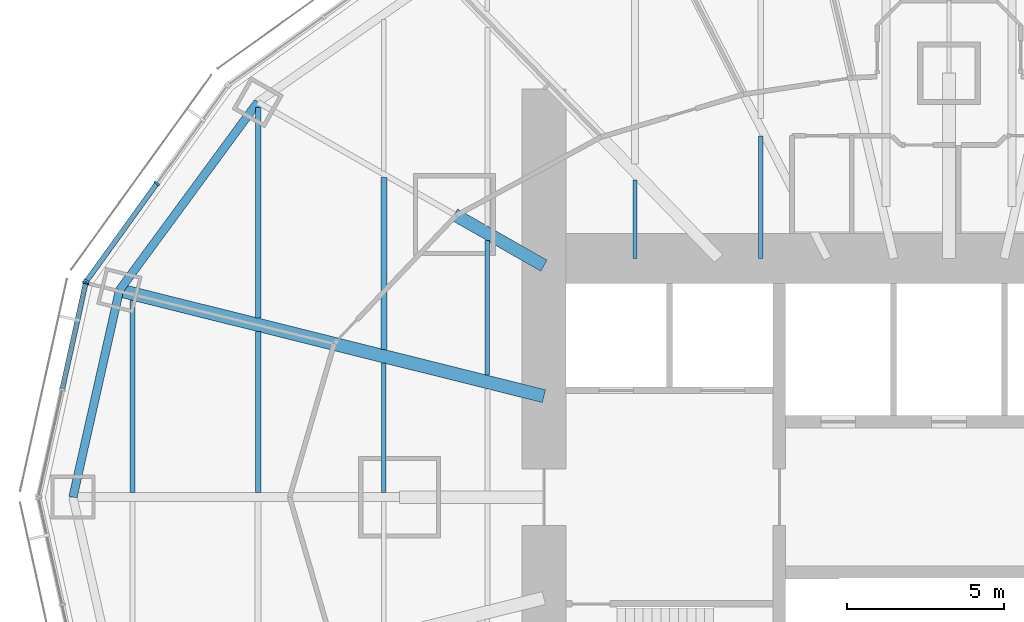
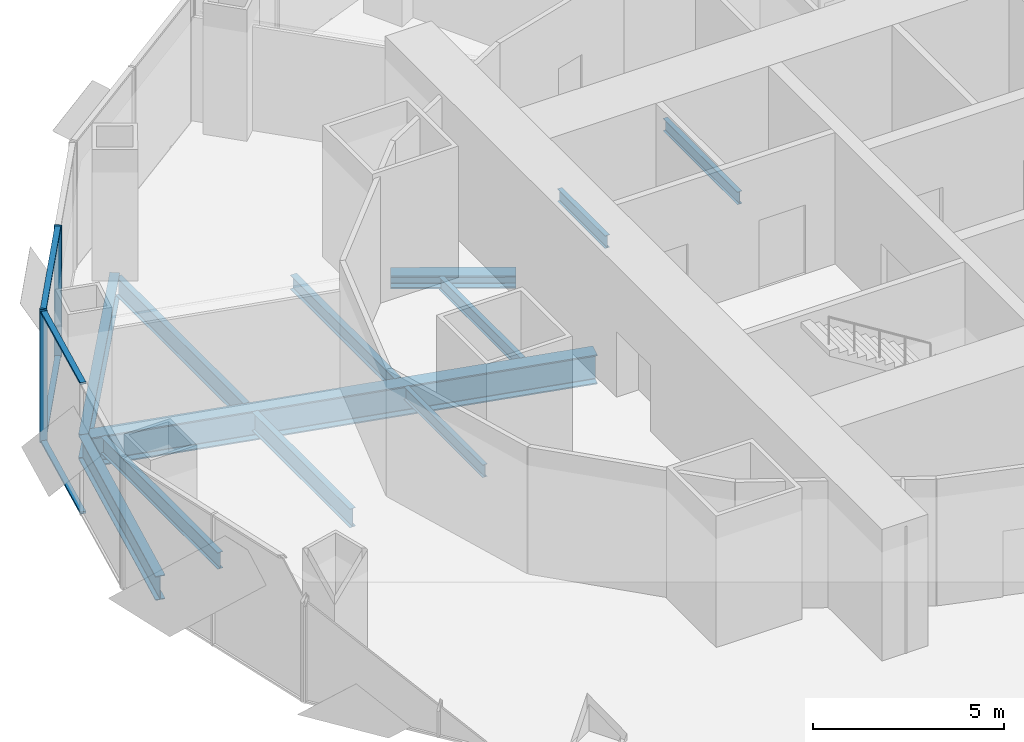
# One storey, part 4 of 18: 12 beams, 7 members, 2 elements without a shape of their own.
"""IFC4 building model written with IfcOpenShell, lengths in metres."""

import ifcopenshell
import ifcopenshell.guid

model = None  # the IFC model being written
_history = None  # IfcOwnerHistory: only IFC2X3 demands one
_inside = {}  # id of a spatial element -> (the spatial element, [elements in it])
_under = {}  # id of a project, library or spatial element -> (it, [spatial elements below it])
_declared = {}  # id of a project -> (the project, [libraries it declares])
_typed = {}  # id of a type object -> (the type object, [elements of that type])
_made_of = {}  # id of a material, layer set ... -> (it, [elements and type objects made of it])


def new_model(schema):
    """Start an empty IFC model of exactly this schema.

    Asked for "IFC4X3", IfcOpenShell would pick the latest addendum, in which some entities
    have other attributes; the version numbers below select the first issue.
    IFC2X3 requires an IfcOwnerHistory on every rooted entity: one is made here for all.
    """
    global model, _history
    if schema == "IFC4X3":
        model = ifcopenshell.file(schema_version=(4, 3, 0, 0))
    else:
        model = ifcopenshell.file(schema=schema)
    _inside.clear()
    _under.clear()
    _declared.clear()
    _typed.clear()
    _made_of.clear()
    _history = None
    if model.schema == "IFC2X3":
        org = make("IfcOrganization", Name="unknown")
        user = make(
            "IfcPersonAndOrganization",
            ThePerson=make("IfcPerson", FamilyName="unknown"),
            TheOrganization=org,
        )
        app = make(
            "IfcApplication",
            ApplicationDeveloper=org,
            Version="unknown",
            ApplicationFullName="unknown",
            ApplicationIdentifier="unknown",
        )
        _history = make(
            "IfcOwnerHistory",
            OwningUser=user,
            OwningApplication=app,
            ChangeAction="ADDED",
            CreationDate=0,
        )
    return model


def make(cls, **values):
    """One entity of the class cls with the attributes given. An attribute that is None is left unset."""
    return model.create_entity(
        cls, **{name: value for name, value in values.items() if value is not None}
    )


def rooted(cls, **values):
    """An entity with a GlobalId (a new one), such as an element, a storey or a relation."""
    return make(cls, GlobalId=ifcopenshell.guid.new(), OwnerHistory=_history, **values)


def si_unit(unit_type, name, prefix=None):
    """IfcSIUnit, for example si_unit("LENGTHUNIT", "METRE", prefix="MILLI")."""
    return make("IfcSIUnit", UnitType=unit_type, Prefix=prefix, Name=name)


def assignment(units):
    """IfcUnitAssignment: the units of a project."""
    return None if units is None else make("IfcUnitAssignment", Units=units)


def point(xyz):
    """IfcCartesianPoint."""
    return None if xyz is None else make("IfcCartesianPoint", Coordinates=xyz)


def direction(xyz):
    """IfcDirection."""
    return None if xyz is None else make("IfcDirection", DirectionRatios=xyz)


def frame(location, z_axis=None, x_axis=None):
    """IfcAxis2Placement3D, a coordinate frame: its origin and axes. An axis left out is left unset."""
    return make(
        "IfcAxis2Placement3D",
        Location=point(location),
        Axis=direction(z_axis),
        RefDirection=direction(x_axis),
    )


def frame_2d(location, x_axis=None):
    """IfcAxis2Placement2D, a coordinate frame in the plane: its origin and x axis."""
    return make(
        "IfcAxis2Placement2D", Location=point(location), RefDirection=direction(x_axis)
    )


def origin():
    """The frame at (0, 0, 0) with its axes left unset."""
    return frame((0.0, 0.0, 0.0))


def origin_2d():
    """The frame at (0, 0) in the plane with its x axis left unset."""
    return frame_2d((0.0, 0.0))


def place(relative_to, where):
    """IfcLocalPlacement: puts the frame where relative to a parent placement (None: the world)."""
    return make(
        "IfcLocalPlacement", PlacementRelTo=relative_to, RelativePlacement=where
    )


def context(
    kind, dimensions, precision=None, world=None, true_north=None, identifier=None
):
    """IfcGeometricRepresentationContext, for example the 3D "Model" context."""
    return make(
        "IfcGeometricRepresentationContext",
        ContextIdentifier=identifier,
        ContextType=kind,
        CoordinateSpaceDimension=dimensions,
        Precision=precision,
        WorldCoordinateSystem=world,
        TrueNorth=true_north,
    )


def subcontext(parent, identifier, kind, view, scale=None):
    """IfcGeometricRepresentationSubContext, for example "Body" below "Model"."""
    return make(
        "IfcGeometricRepresentationSubContext",
        ContextIdentifier=identifier,
        ContextType=kind,
        ParentContext=parent,
        TargetScale=scale,
        TargetView=view,
    )


def project(units=None, contexts=None):
    """IfcProject with its units and contexts."""
    return rooted(
        "IfcProject",
        Name="project",
        RepresentationContexts=contexts,
        UnitsInContext=assignment(units),
    )


def spatial(cls, under=None, at=None, **own):
    """A site, building, storey or space (cls), placed at a placement, below another one or the project."""
    s = rooted(cls, ObjectPlacement=at, **own)
    if under is not None:
        _under.setdefault(under.id(), (under, []))[1].append(s)
    return s


def profile(cls, at=None, kind="AREA", **sizes):
    """A parametric profile (cls). Its sizes go by their IFC names, for example OverallWidth=200.0."""
    return make(cls, ProfileType=kind, Position=at, **sizes)


def rectangle(**sizes):
    """IfcRectangleProfileDef."""
    return profile("IfcRectangleProfileDef", **sizes)


def i_section(**sizes):
    """IfcIShapeProfileDef."""
    return profile("IfcIShapeProfileDef", **sizes)


def extrude(swept, where, along, depth):
    """IfcExtrudedAreaSolid: the profile swept, set in the frame where, extruded along a direction by depth."""
    return make(
        "IfcExtrudedAreaSolid",
        SweptArea=swept,
        Position=where,
        ExtrudedDirection=direction(along),
        Depth=depth,
    )


def shape(context_of_items, identifier, shape_type, items):
    """IfcShapeRepresentation: the items that make up one representation, for example the "Body"."""
    return make(
        "IfcShapeRepresentation",
        ContextOfItems=context_of_items,
        RepresentationIdentifier=identifier,
        RepresentationType=shape_type,
        Items=items,
    )


def material(Name=None, Category=None):
    """IfcMaterial."""
    return make("IfcMaterial", Name=Name, Category=Category)


def material_profile(
    of_material, cross_section, Name=None, Category=None, Priority=None
):
    """IfcMaterialProfile: a cross section and its material."""
    return make(
        "IfcMaterialProfile",
        Name=Name,
        Material=of_material,
        Profile=cross_section,
        Priority=Priority,
        Category=Category,
    )


def profile_set(profiles, Name=None, composite=None):
    """IfcMaterialProfileSet."""
    return make(
        "IfcMaterialProfileSet",
        Name=Name,
        MaterialProfiles=profiles,
        CompositeProfile=composite,
    )


def made_of(thing, what):
    """Note that an element or type object is made of a material, layer set ...; save() writes the relation."""
    if what is not None:
        _made_of.setdefault(what.id(), (what, []))[1].append(thing)
    return thing


def type_object(cls, material=None, **own):
    """A type object (cls), such as IfcWallType, which elements share."""
    return made_of(rooted(cls, **own), material)


def element(
    cls,
    number,
    at=None,
    inside=None,
    cuts=None,
    type_object=None,
    material=None,
    context=None,
    identifier="Body",
    shape_type=None,
    held_by="IfcProductDefinitionShape",
    body=None,
    shapes=None,
    **own,
):
    """One element of the class cls, such as IfcWall. Its Tag is "e" and its number.

    at: its placement. inside: the storey or other place that contains it. cuts: it is an
    opening in that element (IfcRelVoidsElement). A single representation is given by context,
    identifier, shape_type and body (its items); several are given by shapes. held_by: the class
    of the entity that holds the representations. save() writes the other relations.
    """
    e = rooted(cls, Tag="e%d" % number, ObjectPlacement=at, **own)
    if body is not None:
        shapes = [shape(context, identifier, shape_type, body)]
    if shapes is not None:
        e.Representation = make(held_by, Representations=shapes)
    if inside is not None:
        _inside.setdefault(inside.id(), (inside, []))[1].append(e)
    if cuts is not None:
        rooted(
            "IfcRelVoidsElement", RelatingBuildingElement=cuts, RelatedOpeningElement=e
        )
    if type_object is not None:
        _typed.setdefault(type_object.id(), (type_object, []))[1].append(e)
    return made_of(e, material)


def aggregate(whole, parts):
    """IfcRelAggregates: a whole, such as a stair, and the parts it consists of."""
    return rooted("IfcRelAggregates", RelatingObject=whole, RelatedObjects=parts)


def save(model, path):
    """Write the relations noted so far, then the file.

    IfcRelAggregates (storeys below a building ...), IfcRelContainedInSpatialStructure (elements
    in a storey), IfcRelDefinesByType, IfcRelAssociatesMaterial and IfcRelDeclares: one each for
    every whole, place, type object, material and project.
    """
    for whole, parts in _under.values():
        aggregate(whole, parts)
    for where, things in _inside.values():
        rooted(
            "IfcRelContainedInSpatialStructure",
            RelatedElements=things,
            RelatingStructure=where,
        )
    for kind, things in _typed.values():
        rooted("IfcRelDefinesByType", RelatedObjects=things, RelatingType=kind)
    for what, things in _made_of.values():
        rooted("IfcRelAssociatesMaterial", RelatedObjects=things, RelatingMaterial=what)
    for by, libraries in _declared.values():
        rooted("IfcRelDeclares", RelatingContext=by, RelatedDefinitions=libraries)
    model.write(path)


model = new_model("IFC4")

# Units and contexts
model_context = context("Model", 3, precision=1e-05, world=origin(), true_north=direction((0.0, 1.0)))
body_context = subcontext(model_context, "Body", "Model", "MODEL_VIEW")
ifc_project = project(units=[si_unit("LENGTHUNIT", "METRE"), si_unit("AREAUNIT", "SQUARE_METRE"), si_unit("VOLUMEUNIT", "CUBIC_METRE"), si_unit("PLANEANGLEUNIT", "RADIAN"), si_unit("MASSUNIT", "GRAM", prefix="KILO")], contexts=[model_context])

# Site, building, storey
site_placement = place(None, origin())
site = spatial("IfcSite", under=ifc_project, at=site_placement, CompositionType="ELEMENT")
building_placement = place(site_placement, origin())
building = spatial("IfcBuilding", under=site, at=building_placement, Name="Lantaw Convention Tower", CompositionType="ELEMENT")
storey_placement = place(building_placement, frame((0.0, 0.0, 138.39990234375)))
storey = spatial("IfcBuildingStorey", under=building, at=storey_placement, Name="L32", CompositionType="ELEMENT", Elevation=138.39990234375)

# Beams
ifc_material_1 = material(Name="Steel ASTM A992", Category="steel")
ifc_material_profile_1 = material_profile(ifc_material_1, i_section(OverallWidth=0.2666015625, OverallDepth=0.76953125, WebThickness=0.015625, FlangeThickness=0.025390625, FilletRadius=0.0126953125, at=origin_2d()), Name="W30X132")
ifc_profile_set_1 = profile_set([ifc_material_profile_1], Name="Steel ASTM A992")
beam_type_1 = type_object("IfcBeamType", Name="Beam E W30X132", PredefinedType="SPANDREL", material=ifc_profile_set_1)
beam_1_placement = place(storey_placement, frame((-22.013916015625, 12.579345703125, -0.53466796875), z_axis=(-0.5923891972, -0.805651934176, 0.0), x_axis=(0.805651934176, -0.5923891972, 0.0)))
element("IfcBeam", 1, at=beam_1_placement, inside=storey, type_object=beam_type_1, Name="Edge beam 11", PredefinedType="SPANDREL", context=body_context, shape_type="SweptSolid", body=[
    extrude(i_section(OverallWidth=0.2666015625, OverallDepth=0.76953125, WebThickness=0.015625, FlangeThickness=0.025390625, FilletRadius=0.0126953125, at=origin_2d()), origin(), (0.0, 0.0, 1.0), 7.437744140625),
])
beam_2_placement = place(storey_placement, frame((-26.419921875, 6.587158203125, -0.53466796875), z_axis=(-0.219211877447, -0.975677279015, 0.0), x_axis=(0.975677279015, -0.219211877447, 0.0)))
element("IfcBeam", 2, at=beam_2_placement, inside=storey, type_object=beam_type_1, Name="Edge beam 12", PredefinedType="SPANDREL", context=body_context, shape_type="SweptSolid", body=[
    extrude(i_section(OverallWidth=0.2666015625, OverallDepth=0.76953125, WebThickness=0.015625, FlangeThickness=0.025390625, FilletRadius=0.0126953125, at=origin_2d()), origin(), (0.0, 0.0, 1.0), 6.75146484375),
])
ifc_material_profile_2 = material_profile(ifc_material_1, i_section(OverallWidth=0.421630859375, OverallDepth=0.937255859375, WebThickness=0.0224609375, FlangeThickness=0.039794921875, FilletRadius=0.02001953125, at=origin_2d()), Name="W36X282")
ifc_profile_set_2 = profile_set([ifc_material_profile_2], Name="Steel ASTM A992")
beam_type_2 = type_object("IfcBeamType", Name="Beam G W36X282", PredefinedType="BEAM", material=ifc_profile_set_2)
beam_3_placement = place(storey_placement, frame((-12.89990234375, 3.21630859375, -0.61865234375), z_axis=(-0.970296903132, 0.24191717544, 0.0), x_axis=(-0.24191717544, -0.970296903132, 0.0)))
element("IfcBeam", 3, at=beam_3_placement, inside=storey, type_object=beam_type_2, Name="Floor girder on ray 12", PredefinedType="BEAM", context=body_context, shape_type="SweptSolid", body=[
    extrude(i_section(OverallWidth=0.421630859375, OverallDepth=0.937255859375, WebThickness=0.0224609375, FlangeThickness=0.039794921875, FilletRadius=0.02001953125, at=origin_2d()), origin(), (0.0, 0.0, 1.0), 13.933837890625),
])
ifc_material_profile_3 = material_profile(ifc_material_1, i_section(OverallWidth=0.40380859375, OverallDepth=0.406494140625, WebThickness=0.027099609375, FlangeThickness=0.043701171875, FilletRadius=0.01513671875, at=origin_2d()), Name="W14X233")
ifc_profile_set_3 = profile_set([ifc_material_profile_3], Name="Steel ASTM A992")
beam_type_3 = type_object("IfcBeamType", Name="Beam GM W14X233", PredefinedType="BEAM", material=ifc_profile_set_3)
beam_4_placement = place(storey_placement, frame((-12.89990234375, 7.371337890625, -0.35302734375), z_axis=(-0.868238565244, 0.496146947811, 0.0), x_axis=(-0.496146947811, -0.868238565244, 0.0)))
element("IfcBeam", 4, at=beam_4_placement, inside=storey, type_object=beam_type_3, Name="Core link beam on ray 11", PredefinedType="BEAM", context=body_context, shape_type="SweptSolid", body=[
    extrude(i_section(OverallWidth=0.40380859375, OverallDepth=0.406494140625, WebThickness=0.027099609375, FlangeThickness=0.043701171875, FilletRadius=0.01513671875, at=origin_2d()), origin(), (0.0, 0.0, 1.0), 3.28271484375),
])
ifc_material_profile_4 = material_profile(ifc_material_1, i_section(OverallWidth=0.140380859375, OverallDepth=0.40380859375, WebThickness=0.007080078125, FlangeThickness=0.01123046875, FilletRadius=0.01025390625, at=origin_2d()), Name="W16X31")
ifc_profile_set_4 = profile_set([ifc_material_profile_4], Name="Steel ASTM A992")
beam_type_4 = type_object("IfcBeamType", Name="Beam J W16X31", PredefinedType="JOIST", material=ifc_profile_set_4)
beam_5_placement = place(storey_placement, frame((-18.0, 0.14599609375, -0.351806640625), z_axis=(0.0, 1.0, 0.0), x_axis=(-1.0, 0.0, 0.0)))
element("IfcBeam", 5, at=beam_5_placement, inside=storey, type_object=beam_type_4, Name="Floor joist", PredefinedType="JOIST", context=body_context, shape_type="SweptSolid", body=[
    extrude(i_section(OverallWidth=0.140380859375, OverallDepth=0.40380859375, WebThickness=0.007080078125, FlangeThickness=0.01123046875, FilletRadius=0.01025390625, at=origin_2d()), origin(), (0.0, 0.0, 1.0), 4.124755859375),
])
beam_6_placement = place(storey_placement, frame((-14.699951171875, 3.88232421875, -0.351806640625), z_axis=(0.0, 1.0, 0.0), x_axis=(-1.0, 0.0, 0.0)))
element("IfcBeam", 6, at=beam_6_placement, inside=storey, type_object=beam_type_4, Name="Floor joist", PredefinedType="JOIST", context=body_context, shape_type="SweptSolid", body=[
    extrude(i_section(OverallWidth=0.140380859375, OverallDepth=0.40380859375, WebThickness=0.007080078125, FlangeThickness=0.01123046875, FilletRadius=0.01025390625, at=origin_2d()), origin(), (0.0, 0.0, 1.0), 4.28515625),
])
beam_7_placement = place(storey_placement, frame((-10.0, 7.60009765625, -0.351806640625), z_axis=(0.0, 1.0, 0.0), x_axis=(-1.0, 0.0, 0.0)))
element("IfcBeam", 7, at=beam_7_placement, inside=storey, type_object=beam_type_4, Name="Floor joist", PredefinedType="JOIST", context=body_context, shape_type="SweptSolid", body=[
    extrude(i_section(OverallWidth=0.140380859375, OverallDepth=0.40380859375, WebThickness=0.007080078125, FlangeThickness=0.01123046875, FilletRadius=0.01025390625, at=origin_2d()), origin(), (0.0, 0.0, 1.0), 2.49560546875),
])
beam_8_placement = place(storey_placement, frame((-6.0, 7.60009765625, -0.351806640625), z_axis=(0.0, 1.0, 0.0), x_axis=(-1.0, 0.0, 0.0)))
element("IfcBeam", 8, at=beam_8_placement, inside=storey, type_object=beam_type_4, Name="Floor joist", PredefinedType="JOIST", context=body_context, shape_type="SweptSolid", body=[
    extrude(i_section(OverallWidth=0.140380859375, OverallDepth=0.40380859375, WebThickness=0.007080078125, FlangeThickness=0.01123046875, FilletRadius=0.01025390625, at=origin_2d()), origin(), (0.0, 0.0, 1.0), 3.895751953125),
])
ifc_material_profile_5 = material_profile(ifc_material_1, i_section(OverallWidth=0.1904296875, OverallDepth=0.457275390625, WebThickness=0.009033203125, FlangeThickness=0.014404296875, FilletRadius=0.01025390625, at=origin_2d()), Name="W18X50")
ifc_profile_set_5 = profile_set([ifc_material_profile_5], Name="Steel ASTM A992")
beam_type_5 = type_object("IfcBeamType", Name="Beam J W18X50", PredefinedType="JOIST", material=ifc_profile_set_5)
beam_9_placement = place(storey_placement, frame((-18.0, 4.705078125, -0.37841796875), z_axis=(0.0, 1.0, 0.0), x_axis=(-1.0, 0.0, 0.0)))
element("IfcBeam", 9, at=beam_9_placement, inside=storey, type_object=beam_type_5, Name="Floor joist", PredefinedType="JOIST", context=body_context, shape_type="SweptSolid", body=[
    extrude(i_section(OverallWidth=0.1904296875, OverallDepth=0.457275390625, WebThickness=0.009033203125, FlangeThickness=0.014404296875, FilletRadius=0.01025390625, at=origin_2d()), origin(), (0.0, 0.0, 1.0), 5.47802734375),
])
ifc_material_profile_6 = material_profile(ifc_material_1, i_section(OverallWidth=0.1650390625, OverallDepth=0.52587890625, WebThickness=0.0087890625, FlangeThickness=0.011474609375, FilletRadius=0.0126953125, at=origin_2d()), Name="W21X44")
ifc_profile_set_6 = profile_set([ifc_material_profile_6], Name="Steel ASTM A992")
beam_type_6 = type_object("IfcBeamType", Name="Beam J W21X44", PredefinedType="JOIST", material=ifc_profile_set_6)
beam_10_placement = place(storey_placement, frame((-26.0, 0.14599609375, -0.412841796875), z_axis=(0.0, 1.0, 0.0), x_axis=(-1.0, 0.0, 0.0)))
element("IfcBeam", 10, at=beam_10_placement, inside=storey, type_object=beam_type_6, Name="Floor joist", PredefinedType="JOIST", context=body_context, shape_type="SweptSolid", body=[
    extrude(i_section(OverallWidth=0.1650390625, OverallDepth=0.52587890625, WebThickness=0.0087890625, FlangeThickness=0.011474609375, FilletRadius=0.0126953125, at=origin_2d()), origin(), (0.0, 0.0, 1.0), 6.119140625),
])
ifc_material_profile_7 = material_profile(ifc_material_1, i_section(OverallWidth=0.177978515625, OverallDepth=0.599365234375, WebThickness=0.010009765625, FlangeThickness=0.012939453125, FilletRadius=0.012939453125, at=origin_2d()), Name="W24X55")
ifc_profile_set_7 = profile_set([ifc_material_profile_7], Name="Steel ASTM A992")
beam_type_7 = type_object("IfcBeamType", Name="Beam J W24X55", PredefinedType="JOIST", material=ifc_profile_set_7)
beam_11_placement = place(storey_placement, frame((-22.0, 0.14599609375, -0.44970703125), z_axis=(0.0, 1.0, 0.0), x_axis=(-1.0, 0.0, 0.0)))
element("IfcBeam", 11, at=beam_11_placement, inside=storey, type_object=beam_type_7, Name="Floor joist", PredefinedType="JOIST", context=body_context, shape_type="SweptSolid", body=[
    extrude(i_section(OverallWidth=0.177978515625, OverallDepth=0.599365234375, WebThickness=0.010009765625, FlangeThickness=0.012939453125, FilletRadius=0.012939453125, at=origin_2d()), origin(), (0.0, 0.0, 1.0), 5.121826171875),
])
beam_12_placement = place(storey_placement, frame((-22.0, 5.702392578125, -0.44970703125), z_axis=(0.0, 1.0, 0.0), x_axis=(-1.0, 0.0, 0.0)))
element("IfcBeam", 12, at=beam_12_placement, inside=storey, type_object=beam_type_7, Name="Floor joist", PredefinedType="JOIST", context=body_context, shape_type="SweptSolid", body=[
    extrude(i_section(OverallWidth=0.177978515625, OverallDepth=0.599365234375, WebThickness=0.010009765625, FlangeThickness=0.012939453125, FilletRadius=0.012939453125, at=origin_2d()), origin(), (0.0, 0.0, 1.0), 6.70654296875),
])

# Curtain wall, members
ifc_material_2 = material(Name="Aluminium framed curtain wall", Category="aluminium")
curtain_wall_type = type_object("IfcCurtainWallType", Name="Office curtain wall low rise, pale aluminium", PredefinedType="USERDEFINED", material=ifc_material_2)
curtain_wall_1_placement = place(storey_placement, origin())
curtain_wall_1 = element("IfcCurtainWall", 13, at=curtain_wall_1_placement, inside=storey, type_object=curtain_wall_type, Name="Office curtain wall low rise, pale aluminium L32", ObjectType="UNITISED CURTAIN WALL", PredefinedType="USERDEFINED")
ifc_material_3 = material(Name="Aluminium 6063-T6", Category="aluminium")
ifc_material_profile_8 = material_profile(ifc_material_3, rectangle(XDim=0.199951171875, YDim=0.06494140625, at=origin_2d()), Name="CW-O1 mullion 65x200")
ifc_profile_set_8 = profile_set([ifc_material_profile_8], Name="Aluminium 6063-T6")
member_type_1 = type_object("IfcMemberType", Name="CW-O1 mullion 65x200", PredefinedType="MULLION", material=ifc_profile_set_8)
member_1_placement = place(storey_placement, frame((-25.22802734375, 9.9892578125, -0.14990234375), z_axis=(0.0, 0.0, 1.0), x_axis=(0.811384633629, -0.584512597221, 0.0)))
member_1 = element("IfcMember", 14, at=member_1_placement, type_object=member_type_1, Name="CW-O1 mullion 2", PredefinedType="MULLION", context=body_context, shape_type="SweptSolid", body=[
    extrude(rectangle(XDim=0.199951171875, YDim=0.06494140625, at=origin_2d()), origin(), (0.0, 0.0, 1.0), 4.199951171875),
])
member_2_placement = place(storey_placement, frame((-27.46826171875, 6.879638671875, -0.14990234375), z_axis=(0.0, 0.0, 1.0), x_axis=(0.811384633629, -0.584512597221, 0.0)))
member_2 = element("IfcMember", 15, at=member_2_placement, type_object=member_type_1, Name="CW-O1 mullion 3", PredefinedType="MULLION", context=body_context, shape_type="SweptSolid", body=[
    extrude(rectangle(XDim=0.199951171875, YDim=0.06494140625, at=origin_2d()), origin(), (0.0, 0.0, 1.0), 4.199951171875),
])

# Curtain wall, member
curtain_wall_2_placement = place(storey_placement, origin())
curtain_wall_2 = element("IfcCurtainWall", 16, at=curtain_wall_2_placement, inside=storey, type_object=curtain_wall_type, Name="Office curtain wall low rise, pale aluminium L32", ObjectType="UNITISED CURTAIN WALL", PredefinedType="USERDEFINED")
member_3_placement = place(storey_placement, frame((-27.494140625, 6.821533203125, -0.14990234375), z_axis=(0.0, 0.0, 1.0), x_axis=(0.9764936509, -0.215546166174, 0.0)))
member_3 = element("IfcMember", 17, at=member_3_placement, type_object=member_type_1, Name="CW-O1 mullion 1", PredefinedType="MULLION", context=body_context, shape_type="SweptSolid", body=[
    extrude(rectangle(XDim=0.199951171875, YDim=0.06494140625, at=origin_2d()), origin(), (0.0, 0.0, 1.0), 4.199951171875),
])

# Member
ifc_material_profile_9 = material_profile(ifc_material_3, rectangle(XDim=0.159912109375, YDim=0.06494140625, at=origin_2d()), Name="CW-O1 transom 65x160")
ifc_profile_set_9 = profile_set([ifc_material_profile_9], Name="Aluminium 6063-T6")
member_type_2 = type_object("IfcMemberType", Name="CW-O1 transom 65x160", PredefinedType="USERDEFINED", material=ifc_profile_set_9)
member_4_placement = place(storey_placement, frame((-25.2470703125, 9.962890625, -0.117431640625), z_axis=(-0.584512973979, -0.811384362217, 0.0), x_axis=(0.811384362217, -0.584512973979, 0.0)))
member_4 = element("IfcMember", 18, at=member_4_placement, type_object=member_type_2, Name="CW-O1 transom 2.1", ObjectType="TRANSOM", PredefinedType="USERDEFINED", context=body_context, shape_type="SweptSolid", body=[
    extrude(rectangle(XDim=0.159912109375, YDim=0.06494140625, at=origin_2d()), origin(), (0.0, 0.0, 1.0), 3.767578125),
])

member_5_placement = place(storey_placement, frame((-25.2470703125, 9.962890625, 4.017578125), z_axis=(-0.584512973979, -0.811384362217, 0.0), x_axis=(0.811384362217, -0.584512973979, 0.0)))
member_5 = element("IfcMember", 19, at=member_5_placement, type_object=member_type_2, Name="CW-O1 transom 2.2", ObjectType="TRANSOM", PredefinedType="USERDEFINED", context=body_context, shape_type="SweptSolid", body=[
    extrude(rectangle(XDim=0.159912109375, YDim=0.06494140625, at=origin_2d()), origin(), (0.0, 0.0, 1.0), 3.767578125),
])

aggregate(curtain_wall_1, [member_1, member_2, member_4, member_5])

member_6_placement = place(storey_placement, frame((-27.501220703125, 6.789794921875, -0.117431640625), z_axis=(-0.21555115847, -0.976492548913, 0.0), x_axis=(0.976492548913, -0.21555115847, 0.0)))
member_6 = element("IfcMember", 20, at=member_6_placement, type_object=member_type_2, Name="CW-O1 transom 1.1", ObjectType="TRANSOM", PredefinedType="USERDEFINED", context=body_context, shape_type="SweptSolid", body=[
    extrude(rectangle(XDim=0.159912109375, YDim=0.06494140625, at=origin_2d()), origin(), (0.0, 0.0, 1.0), 3.411376953125),
])

member_7_placement = place(storey_placement, frame((-27.501220703125, 6.789794921875, 4.017578125), z_axis=(-0.21555115847, -0.976492548913, 0.0), x_axis=(0.976492548913, -0.21555115847, 0.0)))
member_7 = element("IfcMember", 21, at=member_7_placement, type_object=member_type_2, Name="CW-O1 transom 1.2", ObjectType="TRANSOM", PredefinedType="USERDEFINED", context=body_context, shape_type="SweptSolid", body=[
    extrude(rectangle(XDim=0.159912109375, YDim=0.06494140625, at=origin_2d()), origin(), (0.0, 0.0, 1.0), 3.411376953125),
])

aggregate(curtain_wall_2, [member_3, member_6, member_7])

save(model, "model.ifc")
